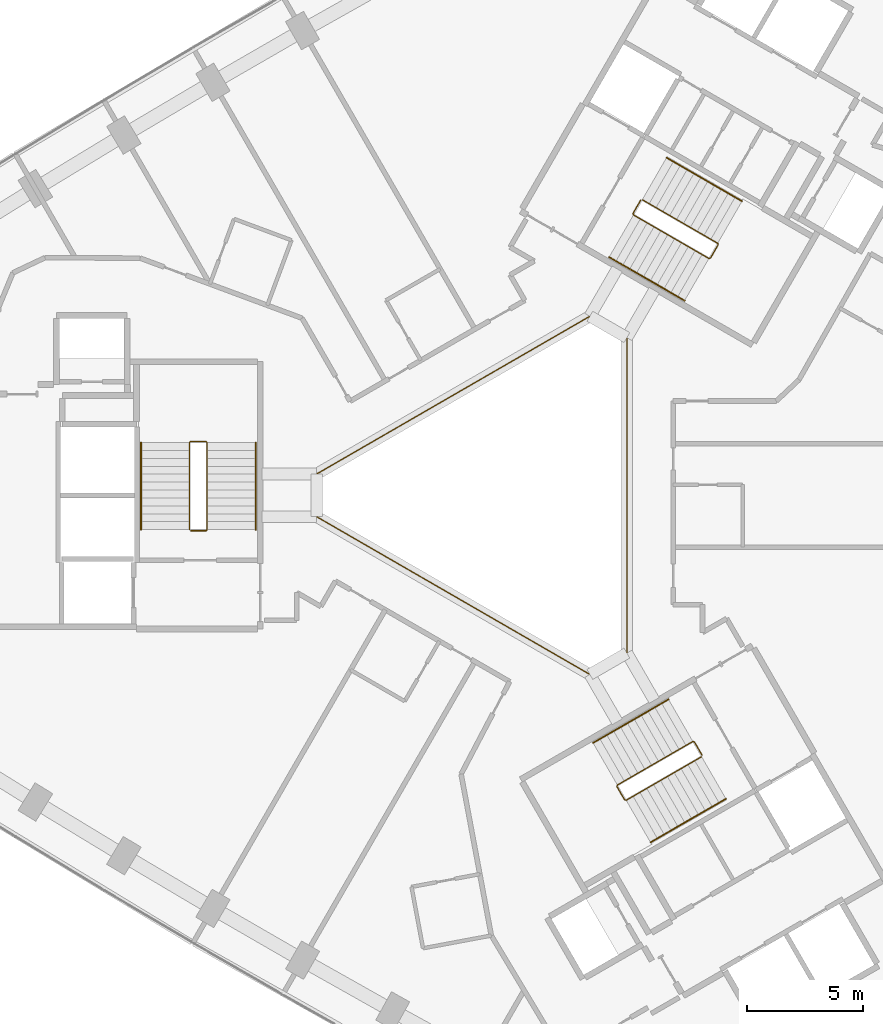
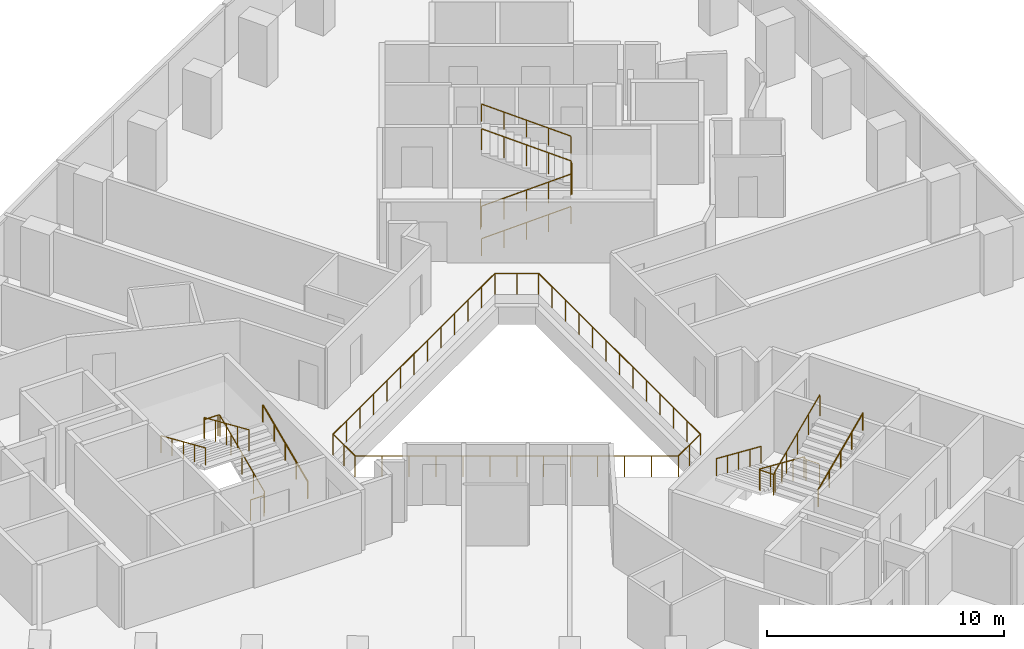
# One storey, part 13 of 13: 10 railings.
"""IFC4 building model written with IfcOpenShell, lengths in metres."""

from ifc_helpers import new_model, si_unit, direction, frame, origin, origin_2d, place, context, subcontext, project, spatial, circle, extrude, material, type_object, element, save


model = new_model("IFC4")

# Units and contexts
model_context = context("Model", 3, precision=1e-05, world=origin(), true_north=direction((0.0, 1.0)))
body_context = subcontext(model_context, "Body", "Model", "MODEL_VIEW")
ifc_project = project(units=[si_unit("LENGTHUNIT", "METRE"), si_unit("AREAUNIT", "SQUARE_METRE"), si_unit("VOLUMEUNIT", "CUBIC_METRE"), si_unit("PLANEANGLEUNIT", "RADIAN"), si_unit("MASSUNIT", "GRAM", prefix="KILO")], contexts=[model_context])

# Site, building, storey
site_placement = place(None, origin())
site = spatial("IfcSite", under=ifc_project, at=site_placement, CompositionType="ELEMENT")
building_placement = place(site_placement, origin())
building = spatial("IfcBuilding", under=site, at=building_placement, Name="Tamra Quay Hotel Tower", CompositionType="ELEMENT")
storey_placement = place(building_placement, frame((0.0, 0.0, 38.60009765625)))
storey = spatial("IfcBuildingStorey", under=building, at=storey_placement, Name="L07", CompositionType="ELEMENT", Elevation=38.60009765625)

# Railings
ifc_material_1 = material(Name="Guard atrium edge 1100")
railing_type_1 = type_object("IfcRailingType", Name="Guard atrium edge 1100", PredefinedType="GUARDRAIL", material=ifc_material_1)
railing_1_placement = place(storey_placement, frame((5.0, -6.81298828125, 0.0)))
element("IfcRailing", 1, at=railing_1_placement, inside=storey, type_object=railing_type_1, Name="G-A", PredefinedType="GUARDRAIL", context=body_context, shape_type="SweptSolid", body=[
    extrude(circle(Radius=0.02392578125, at=origin_2d()), frame((0.0, 0.0, 1.076171875), z_axis=(-0.866194386982, -0.499707198227, 0.0), x_axis=(0.499707198227, -0.866194386982, 0.0)), (0.0, 0.0, 1.0), 1.84716796875),
    extrude(circle(Radius=0.02392578125, at=origin_2d()), frame((-1.60009765625, -0.923095703125, 1.076171875), z_axis=(-0.866044747976, 0.49996649338, 0.0), x_axis=(-0.49996649338, -0.866044747976, 0.0)), (0.0, 0.0, 1.0), 13.625),
    extrude(circle(Radius=0.02392578125, at=origin_2d()), frame((-13.39990234375, 5.888916015625, 1.076171875), z_axis=(0.0, 1.0, 0.0), x_axis=(-1.0, 0.0, 0.0)), (0.0, 0.0, 1.0), 1.84814453125),
    extrude(circle(Radius=0.02392578125, at=origin_2d()), frame((-13.39990234375, 7.737060546875, 1.076171875), z_axis=(0.866044747976, 0.49996649338, 0.0), x_axis=(-0.49996649338, 0.866044747976, 0.0)), (0.0, 0.0, 1.0), 13.625),
    extrude(circle(Radius=0.02392578125, at=origin_2d()), frame((-1.60009765625, 14.549072265625, 1.076171875), z_axis=(0.866194386982, -0.499707198227, 0.0), x_axis=(0.499707198227, 0.866194386982, 0.0)), (0.0, 0.0, 1.0), 1.84716796875),
    extrude(circle(Radius=0.02392578125, at=origin_2d()), frame((0.0, 13.6259765625, 1.076171875), z_axis=(0.0, -1.0, 0.0), x_axis=(1.0, 0.0, 0.0)), (0.0, 0.0, 1.0), 13.6259765625),
    extrude(circle(Radius=0.02099609375, at=origin_2d()), origin(), (0.0, 0.0, 1.0), 1.052001953125),
    extrude(circle(Radius=0.02099609375, at=origin_2d()), frame((-0.800048828125, -0.46142578125, 0.0)), (0.0, 0.0, 1.0), 1.052001953125),
    extrude(circle(Radius=0.02099609375, at=origin_2d()), frame((-1.60009765625, -0.923095703125, 0.0)), (0.0, 0.0, 1.0), 1.052001953125),
    extrude(circle(Radius=0.02099609375, at=origin_2d()), frame((-2.58349609375, -0.35546875, 0.0)), (0.0, 0.0, 1.0), 1.052001953125),
    extrude(circle(Radius=0.02099609375, at=origin_2d()), frame((-3.566650390625, 0.212158203125, 0.0)), (0.0, 0.0, 1.0), 1.052001953125),
    extrude(circle(Radius=0.02099609375, at=origin_2d()), frame((-4.550048828125, 0.77978515625, 0.0)), (0.0, 0.0, 1.0), 1.052001953125),
    extrude(circle(Radius=0.02099609375, at=origin_2d()), frame((-5.533447265625, 1.34765625, 0.0)), (0.0, 0.0, 1.0), 1.052001953125),
    extrude(circle(Radius=0.02099609375, at=origin_2d()), frame((-6.5166015625, 1.915283203125, 0.0)), (0.0, 0.0, 1.0), 1.052001953125),
    extrude(circle(Radius=0.02099609375, at=origin_2d()), frame((-7.5, 2.48291015625, 0.0)), (0.0, 0.0, 1.0), 1.052001953125),
    extrude(circle(Radius=0.02099609375, at=origin_2d()), frame((-8.4833984375, 3.050537109375, 0.0)), (0.0, 0.0, 1.0), 1.052001953125),
    extrude(circle(Radius=0.02099609375, at=origin_2d()), frame((-9.466552734375, 3.6181640625, 0.0)), (0.0, 0.0, 1.0), 1.052001953125),
    extrude(circle(Radius=0.02099609375, at=origin_2d()), frame((-10.449951171875, 4.18603515625, 0.0)), (0.0, 0.0, 1.0), 1.052001953125),
    extrude(circle(Radius=0.02099609375, at=origin_2d()), frame((-11.433349609375, 4.753662109375, 0.0)), (0.0, 0.0, 1.0), 1.052001953125),
    extrude(circle(Radius=0.02099609375, at=origin_2d()), frame((-12.41650390625, 5.3212890625, 0.0)), (0.0, 0.0, 1.0), 1.052001953125),
    extrude(circle(Radius=0.02099609375, at=origin_2d()), frame((-13.39990234375, 5.888916015625, 0.0)), (0.0, 0.0, 1.0), 1.052001953125),
    extrude(circle(Radius=0.02099609375, at=origin_2d()), frame((-13.39990234375, 6.81298828125, 0.0)), (0.0, 0.0, 1.0), 1.052001953125),
    extrude(circle(Radius=0.02099609375, at=origin_2d()), frame((-13.39990234375, 7.737060546875, 0.0)), (0.0, 0.0, 1.0), 1.052001953125),
    extrude(circle(Radius=0.02099609375, at=origin_2d()), frame((-12.41650390625, 8.3046875, 0.0)), (0.0, 0.0, 1.0), 1.052001953125),
    extrude(circle(Radius=0.02099609375, at=origin_2d()), frame((-11.433349609375, 8.872314453125, 0.0)), (0.0, 0.0, 1.0), 1.052001953125),
    extrude(circle(Radius=0.02099609375, at=origin_2d()), frame((-10.449951171875, 9.43994140625, 0.0)), (0.0, 0.0, 1.0), 1.052001953125),
    extrude(circle(Radius=0.02099609375, at=origin_2d()), frame((-9.466552734375, 10.0078125, 0.0)), (0.0, 0.0, 1.0), 1.052001953125),
    extrude(circle(Radius=0.02099609375, at=origin_2d()), frame((-8.4833984375, 10.575439453125, 0.0)), (0.0, 0.0, 1.0), 1.052001953125),
    extrude(circle(Radius=0.02099609375, at=origin_2d()), frame((-7.5, 11.14306640625, 0.0)), (0.0, 0.0, 1.0), 1.052001953125),
    extrude(circle(Radius=0.02099609375, at=origin_2d()), frame((-6.5166015625, 11.710693359375, 0.0)), (0.0, 0.0, 1.0), 1.052001953125),
    extrude(circle(Radius=0.02099609375, at=origin_2d()), frame((-5.533447265625, 12.2783203125, 0.0)), (0.0, 0.0, 1.0), 1.052001953125),
    extrude(circle(Radius=0.02099609375, at=origin_2d()), frame((-4.550048828125, 12.84619140625, 0.0)), (0.0, 0.0, 1.0), 1.052001953125),
    extrude(circle(Radius=0.02099609375, at=origin_2d()), frame((-3.566650390625, 13.413818359375, 0.0)), (0.0, 0.0, 1.0), 1.052001953125),
    extrude(circle(Radius=0.02099609375, at=origin_2d()), frame((-2.58349609375, 13.9814453125, 0.0)), (0.0, 0.0, 1.0), 1.052001953125),
    extrude(circle(Radius=0.02099609375, at=origin_2d()), frame((-1.60009765625, 14.549072265625, 0.0)), (0.0, 0.0, 1.0), 1.052001953125),
    extrude(circle(Radius=0.02099609375, at=origin_2d()), frame((-0.800048828125, 14.08740234375, 0.0)), (0.0, 0.0, 1.0), 1.052001953125),
    extrude(circle(Radius=0.02099609375, at=origin_2d()), frame((0.0, 13.6259765625, 0.0)), (0.0, 0.0, 1.0), 1.052001953125),
    extrude(circle(Radius=0.02099609375, at=origin_2d()), frame((0.0, 12.490478515625, 0.0)), (0.0, 0.0, 1.0), 1.052001953125),
    extrude(circle(Radius=0.02099609375, at=origin_2d()), frame((0.0, 11.35498046875, 0.0)), (0.0, 0.0, 1.0), 1.052001953125),
    extrude(circle(Radius=0.02099609375, at=origin_2d()), frame((0.0, 10.219482421875, 0.0)), (0.0, 0.0, 1.0), 1.052001953125),
    extrude(circle(Radius=0.02099609375, at=origin_2d()), frame((0.0, 9.083984375, 0.0)), (0.0, 0.0, 1.0), 1.052001953125),
    extrude(circle(Radius=0.02099609375, at=origin_2d()), frame((0.0, 7.948486328125, 0.0)), (0.0, 0.0, 1.0), 1.052001953125),
    extrude(circle(Radius=0.02099609375, at=origin_2d()), frame((0.0, 6.81298828125, 0.0)), (0.0, 0.0, 1.0), 1.052001953125),
    extrude(circle(Radius=0.02099609375, at=origin_2d()), frame((0.0, 5.677490234375, 0.0)), (0.0, 0.0, 1.0), 1.052001953125),
    extrude(circle(Radius=0.02099609375, at=origin_2d()), frame((0.0, 4.5419921875, 0.0)), (0.0, 0.0, 1.0), 1.052001953125),
    extrude(circle(Radius=0.02099609375, at=origin_2d()), frame((0.0, 3.406494140625, 0.0)), (0.0, 0.0, 1.0), 1.052001953125),
    extrude(circle(Radius=0.02099609375, at=origin_2d()), frame((0.0, 2.27099609375, 0.0)), (0.0, 0.0, 1.0), 1.052001953125),
    extrude(circle(Radius=0.02099609375, at=origin_2d()), frame((0.0, 1.135498046875, 0.0)), (0.0, 0.0, 1.0), 1.052001953125),
])
ifc_material_2 = material(Name="Stair guard 1100")
railing_type_2 = type_object("IfcRailingType", Name="Stair guard 1100", PredefinedType="GUARDRAIL", material=ifc_material_2)
railing_2_placement = place(storey_placement, frame((-13.84130859375, -1.530029296875, 0.0)))
element("IfcRailing", 2, at=railing_2_placement, inside=storey, type_object=railing_type_2, Name="GR", PredefinedType="GUARDRAIL", context=body_context, shape_type="SweptSolid", body=[
    extrude(circle(Radius=0.02392578125, at=origin_2d()), frame((0.0, 0.0, 1.076171875), z_axis=(1.0, 0.0, 0.0), x_axis=(0.0, 1.0, 0.0)), (0.0, 0.0, 1.0), 0.658935546875),
    extrude(circle(Radius=0.02392578125, at=origin_2d()), frame((0.658935546875, 0.0, 1.076171875), z_axis=(0.301912943143, 0.301912943143, 0.904266083366), x_axis=(-0.707106781187, 0.707106781187, 0.0)), (0.0, 0.0, 1.0), 0.165771484375),
    extrude(circle(Radius=0.02392578125, at=origin_2d()), frame((0.708984375, 0.050048828125, 1.22607421875), z_axis=(0.0, 0.915795495799, 0.401644880304), x_axis=(-1.0, 0.0, 0.0)), (0.0, 0.0, 1.0), 4.10791015625),
    extrude(circle(Radius=0.02392578125, at=origin_2d()), frame((0.708984375, 3.81201171875, 2.8759765625), z_axis=(-0.708833529934, 0.705375805398, 0.0), x_axis=(-0.705375805398, -0.708833529934, 0.0)), (0.0, 0.0, 1.0), 0.070556640625),
    extrude(circle(Radius=0.02392578125, at=origin_2d()), frame((0.658935546875, 3.86181640625, 2.8759765625), z_axis=(-1.0, 0.0, 0.0), x_axis=(0.0, -1.0, 0.0)), (0.0, 0.0, 1.0), 0.658935546875),
    extrude(circle(Radius=0.02392578125, at=origin_2d()), frame((0.0, 3.86181640625, 2.8759765625), z_axis=(-0.301644814947, -0.300173376825, 0.904934444842), x_axis=(0.705375805398, -0.708833529934, 0.0)), (0.0, 0.0, 1.0), 0.166015625),
    extrude(circle(Radius=0.02392578125, at=origin_2d()), frame((-0.050048828125, 3.81201171875, 3.02587890625), z_axis=(0.0, -0.915795495799, 0.401644880304), x_axis=(1.0, 0.0, 0.0)), (0.0, 0.0, 1.0), 4.10791015625),
    extrude(circle(Radius=0.02099609375, at=origin_2d()), origin(), (0.0, 0.0, 1.0), 1.052001953125),
    extrude(circle(Radius=0.02099609375, at=origin_2d()), frame((0.658935546875, 0.0, 0.0)), (0.0, 0.0, 1.0), 1.052001953125),
    extrude(circle(Radius=0.02099609375, at=origin_2d()), frame((0.708984375, 0.050048828125, 0.14990234375)), (0.0, 0.0, 1.0), 1.052001953125),
    extrude(circle(Radius=0.02099609375, at=origin_2d()), frame((0.708984375, 0.990478515625, 0.5625)), (0.0, 0.0, 1.0), 1.052001953125),
    extrude(circle(Radius=0.02099609375, at=origin_2d()), frame((0.708984375, 1.93115234375, 0.974853515625)), (0.0, 0.0, 1.0), 1.052001953125),
    extrude(circle(Radius=0.02099609375, at=origin_2d()), frame((0.708984375, 2.87158203125, 1.38720703125)), (0.0, 0.0, 1.0), 1.052001953125),
    extrude(circle(Radius=0.02099609375, at=origin_2d()), frame((0.708984375, 3.81201171875, 1.7998046875)), (0.0, 0.0, 1.0), 1.052001953125),
    extrude(circle(Radius=0.02099609375, at=origin_2d()), frame((0.658935546875, 3.86181640625, 1.7998046875)), (0.0, 0.0, 1.0), 1.052001953125),
    extrude(circle(Radius=0.02099609375, at=origin_2d()), frame((0.0, 3.86181640625, 1.7998046875)), (0.0, 0.0, 1.0), 1.052001953125),
    extrude(circle(Radius=0.02099609375, at=origin_2d()), frame((-0.050048828125, 3.81201171875, 1.949951171875)), (0.0, 0.0, 1.0), 1.052001953125),
    extrude(circle(Radius=0.02099609375, at=origin_2d()), frame((-0.050048828125, 2.87158203125, 2.3623046875)), (0.0, 0.0, 1.0), 1.052001953125),
    extrude(circle(Radius=0.02099609375, at=origin_2d()), frame((-0.050048828125, 1.93115234375, 2.77490234375)), (0.0, 0.0, 1.0), 1.052001953125),
    extrude(circle(Radius=0.02099609375, at=origin_2d()), frame((-0.050048828125, 0.990478515625, 3.1875)), (0.0, 0.0, 1.0), 1.052001953125),
    extrude(circle(Radius=0.02099609375, at=origin_2d()), frame((-0.050048828125, 0.050048828125, 3.599853515625)), (0.0, 0.0, 1.0), 1.052001953125),
])
railing_3_placement = place(storey_placement, frame((5.595458984375, 12.751953125, 0.0)))
element("IfcRailing", 3, at=railing_3_placement, inside=storey, type_object=railing_type_2, Name="GR", PredefinedType="GUARDRAIL", context=body_context, shape_type="SweptSolid", body=[
    extrude(circle(Radius=0.02392578125, at=origin_2d()), frame((0.0, 0.0, 1.076171875), z_axis=(-0.499765215335, -0.866160914346, 0.0), x_axis=(0.866160914346, -0.499765215335, 0.0)), (0.0, 0.0, 1.0), 0.658935546875),
    extrude(circle(Radius=0.02392578125, at=origin_2d()), frame((-0.329345703125, -0.57080078125, 1.076171875), z_axis=(0.110525977783, -0.411156637351, 0.904839338113), x_axis=(0.965715946433, 0.259601060869, 0.0)), (0.0, 0.0, 1.0), 0.165771484375),
    extrude(circle(Radius=0.02392578125, at=origin_2d()), frame((-0.31103515625, -0.638916015625, 1.22607421875), z_axis=(0.793078462799, -0.457933869594, 0.401650498471), x_axis=(0.500040788363, 0.866001853331, 0.0)), (0.0, 0.0, 1.0), 4.10791015625),
    extrude(circle(Radius=0.02392578125, at=origin_2d()), frame((2.94677734375, -2.52001953125, 2.8759765625), z_axis=(0.965948051503, 0.258736085224, 0.0), x_axis=(-0.258736085224, 0.965948051503, 0.0)), (0.0, 0.0, 1.0), 0.07080078125),
    extrude(circle(Radius=0.02392578125, at=origin_2d()), frame((3.01513671875, -2.501708984375, 2.8759765625), z_axis=(0.500043078269, 0.866000531106, 0.0), x_axis=(-0.866000531106, 0.500043078269, 0.0)), (0.0, 0.0, 1.0), 0.6591796875),
    extrude(circle(Radius=0.02392578125, at=origin_2d()), frame((3.3447265625, -1.930908203125, 2.8759765625), z_axis=(-0.110378772244, 0.410609032747, 0.905105932399), x_axis=(-0.965715946433, -0.259601060869, 0.0)), (0.0, 0.0, 1.0), 0.165771484375),
    extrude(circle(Radius=0.02392578125, at=origin_2d()), frame((3.326416015625, -1.86279296875, 3.02587890625), z_axis=(-0.793100512587, 0.457912285461, 0.401631567183), x_axis=(-0.500012686397, -0.866018079166, 0.0)), (0.0, 0.0, 1.0), 4.10791015625),
    extrude(circle(Radius=0.02099609375, at=origin_2d()), origin(), (0.0, 0.0, 1.0), 1.052001953125),
    extrude(circle(Radius=0.02099609375, at=origin_2d()), frame((-0.329345703125, -0.57080078125, 0.0)), (0.0, 0.0, 1.0), 1.052001953125),
    extrude(circle(Radius=0.02099609375, at=origin_2d()), frame((-0.31103515625, -0.638916015625, 0.14990234375)), (0.0, 0.0, 1.0), 1.052001953125),
    extrude(circle(Radius=0.02099609375, at=origin_2d()), frame((0.50341796875, -1.109130859375, 0.5625)), (0.0, 0.0, 1.0), 1.052001953125),
    extrude(circle(Radius=0.02099609375, at=origin_2d()), frame((1.31787109375, -1.57958984375, 0.974853515625)), (0.0, 0.0, 1.0), 1.052001953125),
    extrude(circle(Radius=0.02099609375, at=origin_2d()), frame((2.13232421875, -2.0498046875, 1.38720703125)), (0.0, 0.0, 1.0), 1.052001953125),
    extrude(circle(Radius=0.02099609375, at=origin_2d()), frame((2.94677734375, -2.52001953125, 1.7998046875)), (0.0, 0.0, 1.0), 1.052001953125),
    extrude(circle(Radius=0.02099609375, at=origin_2d()), frame((3.01513671875, -2.501708984375, 1.7998046875)), (0.0, 0.0, 1.0), 1.052001953125),
    extrude(circle(Radius=0.02099609375, at=origin_2d()), frame((3.3447265625, -1.930908203125, 1.7998046875)), (0.0, 0.0, 1.0), 1.052001953125),
    extrude(circle(Radius=0.02099609375, at=origin_2d()), frame((3.326416015625, -1.86279296875, 1.949951171875)), (0.0, 0.0, 1.0), 1.052001953125),
    extrude(circle(Radius=0.02099609375, at=origin_2d()), frame((2.511962890625, -1.392578125, 2.3623046875)), (0.0, 0.0, 1.0), 1.052001953125),
    extrude(circle(Radius=0.02099609375, at=origin_2d()), frame((1.697265625, -0.92236328125, 2.77490234375)), (0.0, 0.0, 1.0), 1.052001953125),
    extrude(circle(Radius=0.02099609375, at=origin_2d()), frame((0.8828125, -0.451904296875, 3.1875)), (0.0, 0.0, 1.0), 1.052001953125),
    extrude(circle(Radius=0.02099609375, at=origin_2d()), frame((0.068359375, 0.018310546875, 3.599853515625)), (0.0, 0.0, 1.0), 1.052001953125),
])
railing_4_placement = place(storey_placement, frame((8.245849609375, -11.221923828125, 0.0)))
element("IfcRailing", 4, at=railing_4_placement, inside=storey, type_object=railing_type_2, Name="GR", PredefinedType="GUARDRAIL", context=body_context, shape_type="SweptSolid", body=[
    extrude(circle(Radius=0.02392578125, at=origin_2d()), frame((0.0, 0.0, 1.076171875), z_axis=(-0.500043078269, 0.866000531106, 0.0), x_axis=(-0.866000531106, -0.500043078269, 0.0)), (0.0, 0.0, 1.0), 0.6591796875),
    extrude(circle(Radius=0.02392578125, at=origin_2d()), frame((-0.32958984375, 0.57080078125, 1.076171875), z_axis=(-0.41238007866, 0.110458949641, 0.904290601062), x_axis=(-0.258736085224, -0.965948051503, 0.0)), (0.0, 0.0, 1.0), 0.165771484375),
    extrude(circle(Radius=0.02392578125, at=origin_2d()), frame((-0.39794921875, 0.589111328125, 1.22607421875), z_axis=(-0.793100512587, -0.457912285461, 0.401631567183), x_axis=(0.500012686397, -0.866018079166, 0.0)), (0.0, 0.0, 1.0), 4.10791015625),
    extrude(circle(Radius=0.02392578125, at=origin_2d()), frame((-3.656005859375, -1.2919921875, 2.8759765625), z_axis=(-0.256368644879, -0.966579080015, 0.0), x_axis=(0.966579080015, -0.256368644879, 0.0)), (0.0, 0.0, 1.0), 0.070556640625),
    extrude(circle(Radius=0.02392578125, at=origin_2d()), frame((-3.674072265625, -1.360107421875, 2.8759765625), z_axis=(0.499765215335, -0.866160914346, 0.0), x_axis=(0.866160914346, 0.499765215335, 0.0)), (0.0, 0.0, 1.0), 0.658935546875),
    extrude(circle(Radius=0.02392578125, at=origin_2d()), frame((-3.3447265625, -1.930908203125, 2.8759765625), z_axis=(0.411831509231, -0.110312011401, 0.90455849349), x_axis=(0.258736085224, 0.965948051503, 0.0)), (0.0, 0.0, 1.0), 0.166015625),
    extrude(circle(Radius=0.02392578125, at=origin_2d()), frame((-3.2763671875, -1.94921875, 3.02587890625), z_axis=(0.793100512587, 0.457912285461, 0.401631567183), x_axis=(-0.500012686397, 0.866018079166, 0.0)), (0.0, 0.0, 1.0), 4.10791015625),
    extrude(circle(Radius=0.02099609375, at=origin_2d()), origin(), (0.0, 0.0, 1.0), 1.052001953125),
    extrude(circle(Radius=0.02099609375, at=origin_2d()), frame((-0.32958984375, 0.57080078125, 0.0)), (0.0, 0.0, 1.0), 1.052001953125),
    extrude(circle(Radius=0.02099609375, at=origin_2d()), frame((-0.39794921875, 0.589111328125, 0.14990234375)), (0.0, 0.0, 1.0), 1.052001953125),
    extrude(circle(Radius=0.02099609375, at=origin_2d()), frame((-1.21240234375, 0.118896484375, 0.5625)), (0.0, 0.0, 1.0), 1.052001953125),
    extrude(circle(Radius=0.02099609375, at=origin_2d()), frame((-2.02685546875, -0.3515625, 0.974853515625)), (0.0, 0.0, 1.0), 1.052001953125),
    extrude(circle(Radius=0.02099609375, at=origin_2d()), frame((-2.841552734375, -0.82177734375, 1.38720703125)), (0.0, 0.0, 1.0), 1.052001953125),
    extrude(circle(Radius=0.02099609375, at=origin_2d()), frame((-3.656005859375, -1.2919921875, 1.7998046875)), (0.0, 0.0, 1.0), 1.052001953125),
    extrude(circle(Radius=0.02099609375, at=origin_2d()), frame((-3.674072265625, -1.360107421875, 1.7998046875)), (0.0, 0.0, 1.0), 1.052001953125),
    extrude(circle(Radius=0.02099609375, at=origin_2d()), frame((-3.3447265625, -1.930908203125, 1.7998046875)), (0.0, 0.0, 1.0), 1.052001953125),
    extrude(circle(Radius=0.02099609375, at=origin_2d()), frame((-3.2763671875, -1.94921875, 1.949951171875)), (0.0, 0.0, 1.0), 1.052001953125),
    extrude(circle(Radius=0.02099609375, at=origin_2d()), frame((-2.4619140625, -1.47900390625, 2.3623046875)), (0.0, 0.0, 1.0), 1.052001953125),
    extrude(circle(Radius=0.02099609375, at=origin_2d()), frame((-1.6474609375, -1.0087890625, 2.77490234375)), (0.0, 0.0, 1.0), 1.052001953125),
    extrude(circle(Radius=0.02099609375, at=origin_2d()), frame((-0.832763671875, -0.538330078125, 3.1875)), (0.0, 0.0, 1.0), 1.052001953125),
    extrude(circle(Radius=0.02099609375, at=origin_2d()), frame((-0.018310546875, -0.068115234375, 3.599853515625)), (0.0, 0.0, 1.0), 1.052001953125),
])
ifc_material_3 = material(Name="Stair handrail 900")
railing_type_3 = type_object("IfcRailingType", Name="Stair handrail 900", PredefinedType="HANDRAIL", material=ifc_material_3)
railing_5_placement = place(storey_placement, frame((-11.0322265625, -1.47998046875, 0.14990234375)))
element("IfcRailing", 5, at=railing_5_placement, inside=storey, type_object=railing_type_3, Name="HR", PredefinedType="HANDRAIL", context=body_context, shape_type="SweptSolid", body=[
    extrude(circle(Radius=0.02392578125, at=origin_2d()), frame((0.0, 0.0, 0.8759765625), z_axis=(0.0, 0.915795495799, 0.401644880304), x_axis=(-1.0, 0.0, 0.0)), (0.0, 0.0, 1.0), 4.10791015625),
    extrude(circle(Radius=0.02099609375, at=origin_2d()), origin(), (0.0, 0.0, 1.0), 0.851806640625),
    extrude(circle(Radius=0.02099609375, at=origin_2d()), frame((0.0, 0.9404296875, 0.41259765625)), (0.0, 0.0, 1.0), 0.851806640625),
    extrude(circle(Radius=0.02099609375, at=origin_2d()), frame((0.0, 1.880859375, 0.824951171875)), (0.0, 0.0, 1.0), 0.851806640625),
    extrude(circle(Radius=0.02099609375, at=origin_2d()), frame((0.0, 2.821533203125, 1.2373046875)), (0.0, 0.0, 1.0), 0.851806640625),
    extrude(circle(Radius=0.02099609375, at=origin_2d()), frame((0.0, 3.761962890625, 1.64990234375)), (0.0, 0.0, 1.0), 0.851806640625),
])
railing_6_placement = place(storey_placement, frame((-15.9912109375, 2.281982421875, 1.949951171875)))
element("IfcRailing", 6, at=railing_6_placement, inside=storey, type_object=railing_type_3, Name="HR", PredefinedType="HANDRAIL", context=body_context, shape_type="SweptSolid", body=[
    extrude(circle(Radius=0.02392578125, at=origin_2d()), frame((0.0, 0.0, 0.8759765625), z_axis=(0.0, -0.915795495799, 0.401644880304), x_axis=(1.0, 0.0, 0.0)), (0.0, 0.0, 1.0), 4.10791015625),
    extrude(circle(Radius=0.02099609375, at=origin_2d()), origin(), (0.0, 0.0, 1.0), 0.851806640625),
    extrude(circle(Radius=0.02099609375, at=origin_2d()), frame((0.0, -0.9404296875, 0.41259765625)), (0.0, 0.0, 1.0), 0.851806640625),
    extrude(circle(Radius=0.02099609375, at=origin_2d()), frame((0.0, -1.880859375, 0.824951171875)), (0.0, 0.0, 1.0), 0.851806640625),
    extrude(circle(Radius=0.02099609375, at=origin_2d()), frame((0.0, -2.821533203125, 1.2373046875)), (0.0, 0.0, 1.0), 0.851806640625),
    extrude(circle(Radius=0.02099609375, at=origin_2d()), frame((0.0, -3.761962890625, 1.64990234375)), (0.0, 0.0, 1.0), 0.851806640625),
])
railing_7_placement = place(storey_placement, frame((4.234375, 10.294189453125, 0.14990234375)))
element("IfcRailing", 7, at=railing_7_placement, inside=storey, type_object=railing_type_3, Name="HR", PredefinedType="HANDRAIL", context=body_context, shape_type="SweptSolid", body=[
    extrude(circle(Radius=0.02392578125, at=origin_2d()), frame((0.0, 0.0, 0.8759765625), z_axis=(0.793122095483, -0.45786531462, 0.401642496911), x_axis=(0.499964013922, 0.86604617936, 0.0)), (0.0, 0.0, 1.0), 4.10791015625),
    extrude(circle(Radius=0.02099609375, at=origin_2d()), origin(), (0.0, 0.0, 1.0), 0.851806640625),
    extrude(circle(Radius=0.02099609375, at=origin_2d()), frame((0.814453125, -0.47021484375, 0.41259765625)), (0.0, 0.0, 1.0), 0.851806640625),
    extrude(circle(Radius=0.02099609375, at=origin_2d()), frame((1.62890625, -0.9404296875, 0.824951171875)), (0.0, 0.0, 1.0), 0.851806640625),
    extrude(circle(Radius=0.02099609375, at=origin_2d()), frame((2.443603515625, -1.41064453125, 1.2373046875)), (0.0, 0.0, 1.0), 0.851806640625),
    extrude(circle(Radius=0.02099609375, at=origin_2d()), frame((3.258056640625, -1.880859375, 1.64990234375)), (0.0, 0.0, 1.0), 0.851806640625),
])
railing_8_placement = place(storey_placement, frame((9.971923828125, 12.7080078125, 1.949951171875)))
element("IfcRailing", 8, at=railing_8_placement, inside=storey, type_object=railing_type_3, Name="HR", PredefinedType="HANDRAIL", context=body_context, shape_type="SweptSolid", body=[
    extrude(circle(Radius=0.02392578125, at=origin_2d()), frame((0.0, 0.0, 0.8759765625), z_axis=(-0.793122095483, 0.45786531462, 0.401642496911), x_axis=(-0.499964013922, -0.86604617936, 0.0)), (0.0, 0.0, 1.0), 4.10791015625),
    extrude(circle(Radius=0.02099609375, at=origin_2d()), origin(), (0.0, 0.0, 1.0), 0.851806640625),
    extrude(circle(Radius=0.02099609375, at=origin_2d()), frame((-0.814453125, 0.47021484375, 0.41259765625)), (0.0, 0.0, 1.0), 0.851806640625),
    extrude(circle(Radius=0.02099609375, at=origin_2d()), frame((-1.62890625, 0.9404296875, 0.824951171875)), (0.0, 0.0, 1.0), 0.851806640625),
    extrude(circle(Radius=0.02099609375, at=origin_2d()), frame((-2.443603515625, 1.41064453125, 1.2373046875)), (0.0, 0.0, 1.0), 0.851806640625),
    extrude(circle(Radius=0.02099609375, at=origin_2d()), frame((-3.258056640625, 1.880859375, 1.64990234375)), (0.0, 0.0, 1.0), 0.851806640625),
])
railing_9_placement = place(storey_placement, frame((6.7978515625, -8.814208984375, 0.14990234375)))
element("IfcRailing", 9, at=railing_9_placement, inside=storey, type_object=railing_type_3, Name="HR", PredefinedType="HANDRAIL", context=body_context, shape_type="SweptSolid", body=[
    extrude(circle(Radius=0.02392578125, at=origin_2d()), frame((0.0, 0.0, 0.8759765625), z_axis=(-0.79310004713, -0.457886897714, 0.401661429744), x_axis=(0.499992114976, -0.866029956157, 0.0)), (0.0, 0.0, 1.0), 4.107666015625),
    extrude(circle(Radius=0.02099609375, at=origin_2d()), origin(), (0.0, 0.0, 1.0), 0.851806640625),
    extrude(circle(Radius=0.02099609375, at=origin_2d()), frame((-0.814453125, -0.47021484375, 0.41259765625)), (0.0, 0.0, 1.0), 0.851806640625),
    extrude(circle(Radius=0.02099609375, at=origin_2d()), frame((-1.62890625, -0.9404296875, 0.824951171875)), (0.0, 0.0, 1.0), 0.851806640625),
    extrude(circle(Radius=0.02099609375, at=origin_2d()), frame((-2.443359375, -1.41064453125, 1.2373046875)), (0.0, 0.0, 1.0), 0.851806640625),
    extrude(circle(Radius=0.02099609375, at=origin_2d()), frame((-3.2578125, -1.880859375, 1.64990234375)), (0.0, 0.0, 1.0), 0.851806640625),
])
railing_10_placement = place(storey_placement, frame((6.01953125, -14.98974609375, 1.949951171875)))
element("IfcRailing", 10, at=railing_10_placement, inside=storey, type_object=railing_type_3, Name="HR", PredefinedType="HANDRAIL", context=body_context, shape_type="SweptSolid", body=[
    extrude(circle(Radius=0.02392578125, at=origin_2d()), frame((0.0, 0.0, 0.8759765625), z_axis=(0.79310004713, 0.457886897714, 0.401661429744), x_axis=(-0.499992114976, 0.866029956157, 0.0)), (0.0, 0.0, 1.0), 4.107666015625),
    extrude(circle(Radius=0.02099609375, at=origin_2d()), origin(), (0.0, 0.0, 1.0), 0.851806640625),
    extrude(circle(Radius=0.02099609375, at=origin_2d()), frame((0.814453125, 0.47021484375, 0.41259765625)), (0.0, 0.0, 1.0), 0.851806640625),
    extrude(circle(Radius=0.02099609375, at=origin_2d()), frame((1.62890625, 0.9404296875, 0.824951171875)), (0.0, 0.0, 1.0), 0.851806640625),
    extrude(circle(Radius=0.02099609375, at=origin_2d()), frame((2.443359375, 1.41064453125, 1.2373046875)), (0.0, 0.0, 1.0), 0.851806640625),
    extrude(circle(Radius=0.02099609375, at=origin_2d()), frame((3.2578125, 1.880859375, 1.64990234375)), (0.0, 0.0, 1.0), 0.851806640625),
])

save(model, "model.ifc")
